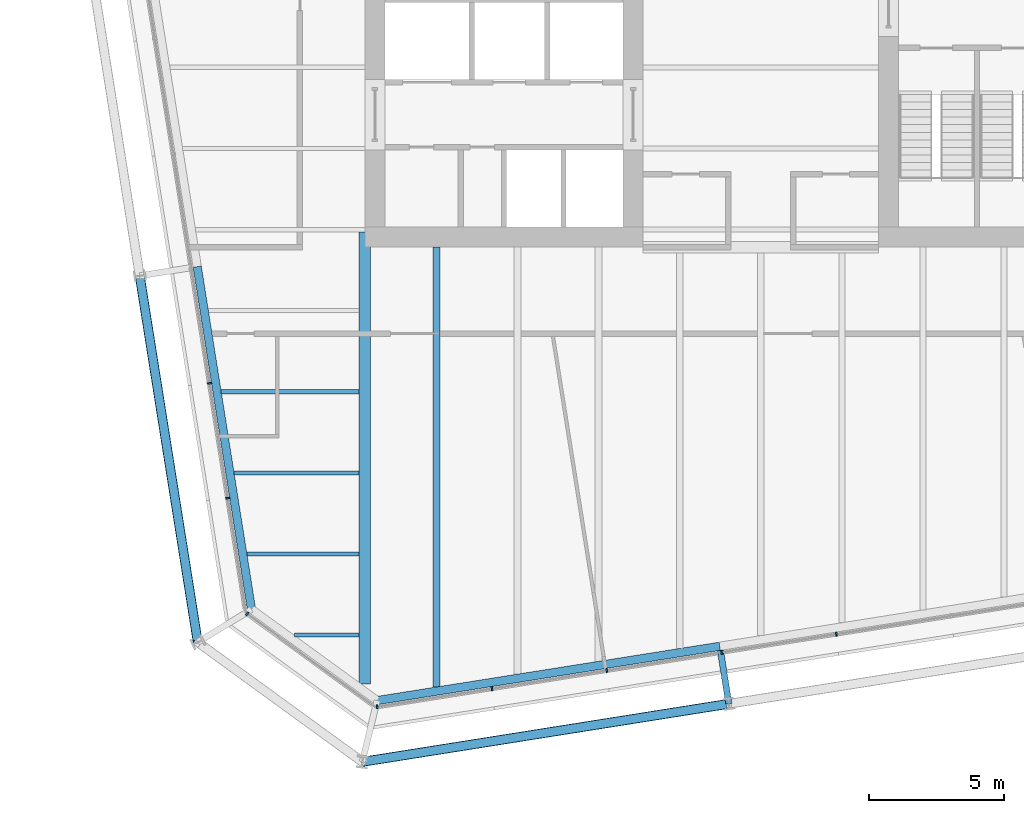
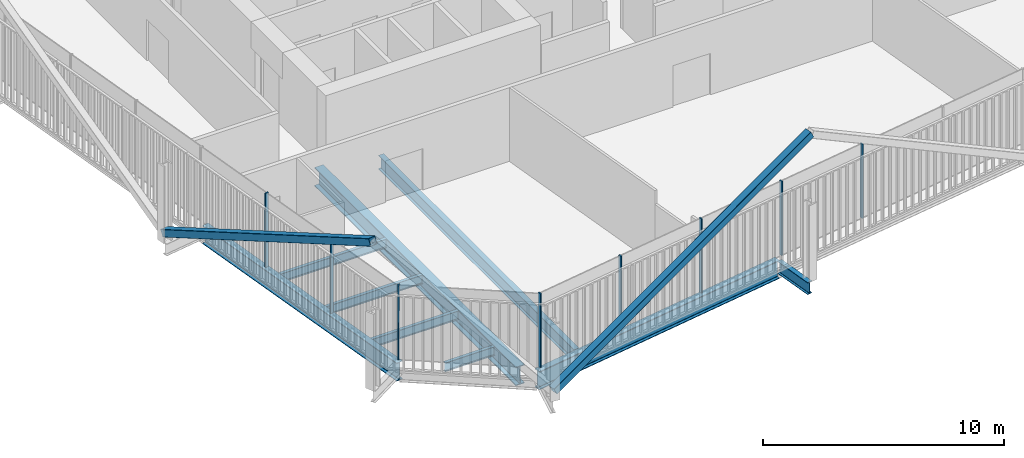
# One storey, part 2 of 22: 10 members, 9 beams, 3 elements without a shape of their own.
"""IFC4 building model written with IfcOpenShell, lengths in metres."""

from ifc_helpers import new_model, si_unit, direction, frame, origin, origin_2d, place, context, subcontext, project, spatial, rectangle, hollow_rectangle, i_section, extrude, material, layer, layer_set, material_profile, profile_set, type_object, element, aggregate, save


model = new_model("IFC4")

# Units and contexts
model_context = context("Model", 3, precision=1e-05, world=origin(), true_north=direction((0.0, 1.0)))
body_context = subcontext(model_context, "Body", "Model", "MODEL_VIEW")
ifc_project = project(units=[si_unit("LENGTHUNIT", "METRE"), si_unit("AREAUNIT", "SQUARE_METRE"), si_unit("VOLUMEUNIT", "CUBIC_METRE"), si_unit("PLANEANGLEUNIT", "RADIAN"), si_unit("MASSUNIT", "GRAM", prefix="KILO")], contexts=[model_context])

# Site, building, storey
site_placement = place(None, origin())
site = spatial("IfcSite", under=ifc_project, at=site_placement, CompositionType="ELEMENT")
building_placement = place(site_placement, origin())
building = spatial("IfcBuilding", under=site, at=building_placement, Name="Millrace Tower", CompositionType="ELEMENT")
storey_placement = place(building_placement, frame((0.0, 0.0, 137.300048828125)))
storey = spatial("IfcBuildingStorey", under=building, at=storey_placement, Name="L30", CompositionType="ELEMENT", Elevation=137.300048828125)

# Curtain wall, member
ifc_material_1 = material(Name="Aluminium and glass", Category="aluminium")
ifc_layer = layer(ifc_material_1, 0.14990234375)
ifc_layer_set = layer_set([ifc_layer], Name="Aluminium and glass")
curtain_wall_type = type_object("IfcCurtainWallType", Name="CW-1 office vision curtain wall", PredefinedType="NOTDEFINED", material=ifc_layer_set)
placement = place(storey_placement, origin())
curtain_wall_1 = element("IfcCurtainWall", 1, at=placement, inside=storey, type_object=curtain_wall_type, Name="Curtain wall C-F01 L30", PredefinedType="NOTDEFINED")
ifc_material_2 = material(Name="Aluminium", Category="aluminium")
ifc_material_profile_1 = material_profile(ifc_material_2, rectangle(XDim=0.06494140625, YDim=0.14990234375, at=origin_2d()))
ifc_profile_set_1 = profile_set([ifc_material_profile_1], Name="Aluminium")
member_type_1 = type_object("IfcMemberType", Name="CW-1 office vision curtain wall mullion", PredefinedType="MULLION", material=ifc_profile_set_1)
member_1_placement = place(storey_placement, frame((-19.00146484375, -23.2177734375, 0.139892578125), z_axis=(0.0, 0.0, 1.0), x_axis=(0.809016981623, -0.587785269844, 0.0)))
member_1 = element("IfcMember", 2, at=member_1_placement, type_object=member_type_1, Name="CW1 mullion C-F01.1", PredefinedType="MULLION", context=body_context, shape_type="SweptSolid", body=[
    extrude(rectangle(XDim=0.06494140625, YDim=0.14990234375, at=origin_2d()), origin(), (0.0, 0.0, 1.0), 3.760009765625),
])
aggregate(curtain_wall_1, [member_1])

# Curtain wall, members
curtain_wall_2 = element("IfcCurtainWall", 3, at=placement, inside=storey, type_object=curtain_wall_type, Name="Curtain wall C-F02 L30", PredefinedType="NOTDEFINED")
member_2_placement = place(storey_placement, frame((-14.191650390625, -26.65673828125, 0.139892578125), z_axis=(0.0, 0.0, 1.0), x_axis=(0.98768833929, 0.15643447328, 0.0)))
member_2 = element("IfcMember", 4, at=member_2_placement, type_object=member_type_1, Name="CW1 mullion C-F02.1", PredefinedType="MULLION", context=body_context, shape_type="SweptSolid", body=[
    extrude(rectangle(XDim=0.06494140625, YDim=0.14990234375, at=origin_2d()), origin(), (0.0, 0.0, 1.0), 3.760009765625),
])
member_3_placement = place(storey_placement, frame((-9.944580078125, -25.98388671875, 0.139892578125), z_axis=(0.0, 0.0, 1.0), x_axis=(0.98768833929, 0.15643447328, 0.0)))
member_3 = element("IfcMember", 5, at=member_3_placement, type_object=member_type_1, Name="CW1 mullion C-F02.2", PredefinedType="MULLION", context=body_context, shape_type="SweptSolid", body=[
    extrude(rectangle(XDim=0.06494140625, YDim=0.14990234375, at=origin_2d()), origin(), (0.0, 0.0, 1.0), 3.760009765625),
])
member_4_placement = place(storey_placement, frame((-5.697509765625, -25.311279296875, 0.139892578125), z_axis=(0.0, 0.0, 1.0), x_axis=(0.98768833929, 0.15643447328, 0.0)))
member_4 = element("IfcMember", 6, at=member_4_placement, type_object=member_type_1, Name="CW1 mullion C-F02.3", PredefinedType="MULLION", context=body_context, shape_type="SweptSolid", body=[
    extrude(rectangle(XDim=0.06494140625, YDim=0.14990234375, at=origin_2d()), origin(), (0.0, 0.0, 1.0), 3.760009765625),
])
member_5_placement = place(storey_placement, frame((-1.450439453125, -24.638671875, 0.139892578125), z_axis=(0.0, 0.0, 1.0), x_axis=(0.98768833929, 0.15643447328, 0.0)))
member_5 = element("IfcMember", 7, at=member_5_placement, type_object=member_type_1, Name="CW1 mullion C-F02.4", PredefinedType="MULLION", context=body_context, shape_type="SweptSolid", body=[
    extrude(rectangle(XDim=0.06494140625, YDim=0.14990234375, at=origin_2d()), origin(), (0.0, 0.0, 1.0), 3.760009765625),
])
member_6_placement = place(storey_placement, frame((2.796630859375, -23.966064453125, 0.139892578125), z_axis=(0.0, 0.0, 1.0), x_axis=(0.98768833929, 0.15643447328, 0.0)))
member_6 = element("IfcMember", 8, at=member_6_placement, type_object=member_type_1, Name="CW1 mullion C-F02.5", PredefinedType="MULLION", context=body_context, shape_type="SweptSolid", body=[
    extrude(rectangle(XDim=0.06494140625, YDim=0.14990234375, at=origin_2d()), origin(), (0.0, 0.0, 1.0), 3.760009765625),
])
aggregate(curtain_wall_2, [member_2, member_3, member_4, member_5, member_6])

curtain_wall_3 = element("IfcCurtainWall", 9, at=placement, inside=storey, type_object=curtain_wall_type, Name="Curtain wall C-F08 L30", PredefinedType="NOTDEFINED")
member_7_placement = place(storey_placement, frame((-20.39794921875, -14.687744140625, 0.139892578125), z_axis=(0.0, 0.0, 1.0), x_axis=(0.15643447328, -0.98768833929, 0.0)))
member_7 = element("IfcMember", 10, at=member_7_placement, type_object=member_type_1, Name="CW1 mullion C-F08.8", PredefinedType="MULLION", context=body_context, shape_type="SweptSolid", body=[
    extrude(rectangle(XDim=0.06494140625, YDim=0.14990234375, at=origin_2d()), origin(), (0.0, 0.0, 1.0), 3.760009765625),
])
member_8_placement = place(storey_placement, frame((-19.725341796875, -18.934814453125, 0.139892578125), z_axis=(0.0, 0.0, 1.0), x_axis=(0.15643447328, -0.98768833929, 0.0)))
member_8 = element("IfcMember", 11, at=member_8_placement, type_object=member_type_1, Name="CW1 mullion C-F08.9", PredefinedType="MULLION", context=body_context, shape_type="SweptSolid", body=[
    extrude(rectangle(XDim=0.06494140625, YDim=0.14990234375, at=origin_2d()), origin(), (0.0, 0.0, 1.0), 3.760009765625),
])
aggregate(curtain_wall_3, [member_7, member_8])

# Members
ifc_material_3 = material(Name="Steel ASTM A500 Grade C", Category="steel")
ifc_material_profile_2 = material_profile(ifc_material_3, hollow_rectangle(XDim=0.355712890625, YDim=0.355712890625, WallThickness=0.015869140625, InnerFilletRadius=0.008056640625, OuterFilletRadius=0.02392578125, at=origin_2d()))
ifc_profile_set_2 = profile_set([ifc_material_profile_2], Name="Steel ASTM A500 Grade C")
member_type_2 = type_object("IfcMemberType", Name="Exoskeleton brace HSS14x14x5/8", PredefinedType="BRACE", material=ifc_profile_set_2)
member_9_placement = place(storey_placement, frame((-14.740966796875, -28.692626953125, 0.39990234375), z_axis=(0.879910131664, 0.139353430287, 0.454245287992), x_axis=(-0.15642281023, 0.987690186465, 0.0)))
element("IfcMember", 12, at=member_9_placement, inside=storey, type_object=member_type_2, Name="BRC-C-L30-02", PredefinedType="BRACE", context=body_context, shape_type="SweptSolid", body=[
    extrude(hollow_rectangle(XDim=0.355712890625, YDim=0.355712890625, WallThickness=0.015869140625, InnerFilletRadius=0.008056640625, OuterFilletRadius=0.02392578125, at=origin_2d()), origin(), (0.0, 0.0, 1.0), 15.41015625),
])
member_10_placement = place(storey_placement, frame((-22.97705078125, -10.709716796875, 0.39990234375), z_axis=(0.139370908249, -0.879904612171, 0.454250617407), x_axis=(0.987687003601, 0.156442906258, 0.0)))
element("IfcMember", 13, at=member_10_placement, inside=storey, type_object=member_type_2, Name="BRC-C-L30-16", PredefinedType="BRACE", context=body_context, shape_type="SweptSolid", body=[
    extrude(hollow_rectangle(XDim=0.355712890625, YDim=0.355712890625, WallThickness=0.015869140625, InnerFilletRadius=0.008056640625, OuterFilletRadius=0.02392578125, at=origin_2d()), origin(), (0.0, 0.0, 1.0), 15.409912109375),
])

# Beams
ifc_material_4 = material(Name="Steel ASTM A992 Grade 50", Category="steel")
ifc_material_profile_3 = material_profile(ifc_material_4, i_section(OverallWidth=0.15234375, OverallDepth=0.449462890625, WebThickness=0.007568359375, FlangeThickness=0.0107421875, FilletRadius=0.01025390625, at=origin_2d()))
ifc_profile_set_3 = profile_set([ifc_material_profile_3], Name="Steel ASTM A992 Grade 50")
beam_type_1 = type_object("IfcBeamType", Name="Floor beam W18x35", PredefinedType="JOIST", material=ifc_profile_set_3)
beam_1_placement = place(storey_placement, frame((-19.01123046875, -21.0, -0.384765625), z_axis=(1.0, 0.0, 0.0), x_axis=(0.0, 1.0, 0.0)))
element("IfcBeam", 14, at=beam_1_placement, inside=storey, type_object=beam_type_1, Name="BM-C-L30-S1-S002", PredefinedType="JOIST", context=body_context, shape_type="SweptSolid", body=[
    extrude(i_section(OverallWidth=0.15234375, OverallDepth=0.449462890625, WebThickness=0.007568359375, FlangeThickness=0.0107421875, FilletRadius=0.01025390625, at=origin_2d()), origin(), (0.0, 0.0, 1.0), 4.151611328125),
])
beam_2_placement = place(storey_placement, frame((-19.486328125, -18.0, -0.384765625), z_axis=(1.0, 0.0, 0.0), x_axis=(0.0, 1.0, 0.0)))
element("IfcBeam", 15, at=beam_2_placement, inside=storey, type_object=beam_type_1, Name="BM-C-L30-S1-S004", PredefinedType="JOIST", context=body_context, shape_type="SweptSolid", body=[
    extrude(i_section(OverallWidth=0.15234375, OverallDepth=0.449462890625, WebThickness=0.007568359375, FlangeThickness=0.0107421875, FilletRadius=0.01025390625, at=origin_2d()), origin(), (0.0, 0.0, 1.0), 4.626708984375),
])
beam_3_placement = place(storey_placement, frame((-19.96142578125, -15.0, -0.384765625), z_axis=(1.0, 0.0, 0.0), x_axis=(0.0, 1.0, 0.0)))
element("IfcBeam", 16, at=beam_3_placement, inside=storey, type_object=beam_type_1, Name="BM-C-L30-S1-S006", PredefinedType="JOIST", context=body_context, shape_type="SweptSolid", body=[
    extrude(i_section(OverallWidth=0.15234375, OverallDepth=0.449462890625, WebThickness=0.007568359375, FlangeThickness=0.0107421875, FilletRadius=0.01025390625, at=origin_2d()), origin(), (0.0, 0.0, 1.0), 5.101806640625),
])
beam_4_placement = place(storey_placement, frame((-17.246337890625, -24.0, -0.384765625), z_axis=(1.0, 0.0, 0.0), x_axis=(0.0, 1.0, 0.0)))
element("IfcBeam", 17, at=beam_4_placement, inside=storey, type_object=beam_type_1, Name="BM-C-L30-S1-S001", PredefinedType="JOIST", context=body_context, shape_type="SweptSolid", body=[
    extrude(i_section(OverallWidth=0.15234375, OverallDepth=0.449462890625, WebThickness=0.007568359375, FlangeThickness=0.0107421875, FilletRadius=0.01025390625, at=origin_2d()), origin(), (0.0, 0.0, 1.0), 2.38671875),
])
ifc_material_5 = material(Name="Steel ASTM A992 Grade 50", Category="steel")
ifc_material_profile_4 = material_profile(ifc_material_5, i_section(OverallWidth=0.256591796875, OverallDepth=0.693359375, WebThickness=0.014404296875, FlangeThickness=0.023681640625, FilletRadius=0.01513671875, at=origin_2d()))
ifc_profile_set_4 = profile_set([ifc_material_profile_4], Name="Steel ASTM A992 Grade 50")
beam_type_2 = type_object("IfcBeamType", Name="Floor beam W27x114", PredefinedType="JOIST", material=ifc_profile_set_4)
beam_5_placement = place(storey_placement, frame((-12.0, -25.92236328125, -0.5068359375), z_axis=(0.0, 1.0, 0.0), x_axis=(-1.0, 0.0, 0.0)))
element("IfcBeam", 18, at=beam_5_placement, inside=storey, type_object=beam_type_2, Name="BM-C-L30-S1-S040", PredefinedType="JOIST", context=body_context, shape_type="SweptSolid", body=[
    extrude(i_section(OverallWidth=0.256591796875, OverallDepth=0.693359375, WebThickness=0.014404296875, FlangeThickness=0.023681640625, FilletRadius=0.01513671875, at=origin_2d()), origin(), (0.0, 0.0, 1.0), 16.2724609375),
])
ifc_material_6 = material(Name="Steel ASTM A992 Grade 50", Category="steel")
ifc_material_profile_5 = material_profile(ifc_material_6, i_section(OverallWidth=0.424072265625, OverallDepth=0.947509765625, WebThickness=0.02392578125, FlangeThickness=0.042724609375, FilletRadius=0.024169921875, at=origin_2d()))
ifc_profile_set_5 = profile_set([ifc_material_profile_5], Name="Steel ASTM A992 Grade 50")
beam_type_3 = type_object("IfcBeamType", Name="Girder medium span W36x302", PredefinedType="BEAM", material=ifc_profile_set_5)
beam_6_placement = place(storey_placement, frame((-14.64990234375, -25.806640625, -0.6337890625), z_axis=(0.0, 1.0, 0.0), x_axis=(-1.0, 0.0, 0.0)))
element("IfcBeam", 19, at=beam_6_placement, inside=storey, type_object=beam_type_3, Name="BM-C-L30-S1-G058", PredefinedType="BEAM", context=body_context, shape_type="SweptSolid", body=[
    extrude(i_section(OverallWidth=0.424072265625, OverallDepth=0.947509765625, WebThickness=0.02392578125, FlangeThickness=0.042724609375, FilletRadius=0.024169921875, at=origin_2d()), origin(), (0.0, 0.0, 1.0), 16.720703125),
])
ifc_material_7 = material(Name="Steel ASTM A992 Grade 50", Category="steel")
ifc_material_profile_6 = material_profile(ifc_material_7, i_section(OverallWidth=0.23046875, OverallDepth=0.6171875, WebThickness=0.01318359375, FlangeThickness=0.022216796875, FilletRadius=0.012939453125, at=origin_2d()))
ifc_profile_set_6 = profile_set([ifc_material_profile_6], Name="Steel ASTM A992 Grade 50")
beam_type_4 = type_object("IfcBeamType", Name="Link beam W24x94", PredefinedType="BEAM", material=ifc_profile_set_6)
beam_7_placement = place(storey_placement, frame((-1.494384765625, -24.569580078125, -0.46875), z_axis=(0.156476509441, -0.987681680499, 0.0), x_axis=(0.987681680499, 0.156476509441, 0.0)))
element("IfcBeam", 20, at=beam_7_placement, inside=storey, type_object=beam_type_4, Name="LNK-C-L30-S1-15", PredefinedType="BEAM", context=body_context, shape_type="SweptSolid", body=[
    extrude(i_section(OverallWidth=0.23046875, OverallDepth=0.6171875, WebThickness=0.01318359375, FlangeThickness=0.022216796875, FilletRadius=0.012939453125, at=origin_2d()), origin(), (0.0, 0.0, 1.0), 2.000244140625),
])
ifc_material_8 = material(Name="Steel ASTM A992 Grade 50", Category="steel")
ifc_material_profile_7 = material_profile(ifc_material_8, i_section(OverallWidth=0.307373046875, OverallDepth=0.927001953125, WebThickness=0.01953125, FlangeThickness=0.031982421875, FilletRadius=0.01904296875, at=origin_2d()))
ifc_profile_set_7 = profile_set([ifc_material_profile_7], Name="Steel ASTM A992 Grade 50")
beam_type_5 = type_object("IfcBeamType", Name="Ring beam medium span W36x194", PredefinedType="SPANDREL", material=ifc_profile_set_7)
beam_8_placement = place(storey_placement, frame((-18.841796875, -23.051025390625, -0.62353515625), z_axis=(-0.156436246498, 0.987688058438, 0.0), x_axis=(-0.987688058438, -0.156436246498, 0.0)))
element("IfcBeam", 21, at=beam_8_placement, inside=storey, type_object=beam_type_5, Name="RNG-C-L30-S1-01", PredefinedType="SPANDREL", context=body_context, shape_type="SweptSolid", body=[
    extrude(i_section(OverallWidth=0.307373046875, OverallDepth=0.927001953125, WebThickness=0.01953125, FlangeThickness=0.031982421875, FilletRadius=0.01904296875, at=origin_2d()), origin(), (0.0, 0.0, 1.0), 12.836181640625),
])
beam_9_placement = place(storey_placement, frame((-1.518310546875, -24.41796875, -0.62353515625), z_axis=(-0.987688523879, -0.15643330783, 0.0), x_axis=(0.15643330783, -0.987688523879, 0.0)))
element("IfcBeam", 22, at=beam_9_placement, inside=storey, type_object=beam_type_5, Name="RNG-C-L30-S1-15", PredefinedType="SPANDREL", context=body_context, shape_type="SweptSolid", body=[
    extrude(i_section(OverallWidth=0.307373046875, OverallDepth=0.927001953125, WebThickness=0.01953125, FlangeThickness=0.031982421875, FilletRadius=0.01904296875, at=origin_2d()), origin(), (0.0, 0.0, 1.0), 12.83642578125),
])

save(model, "model.ifc")
